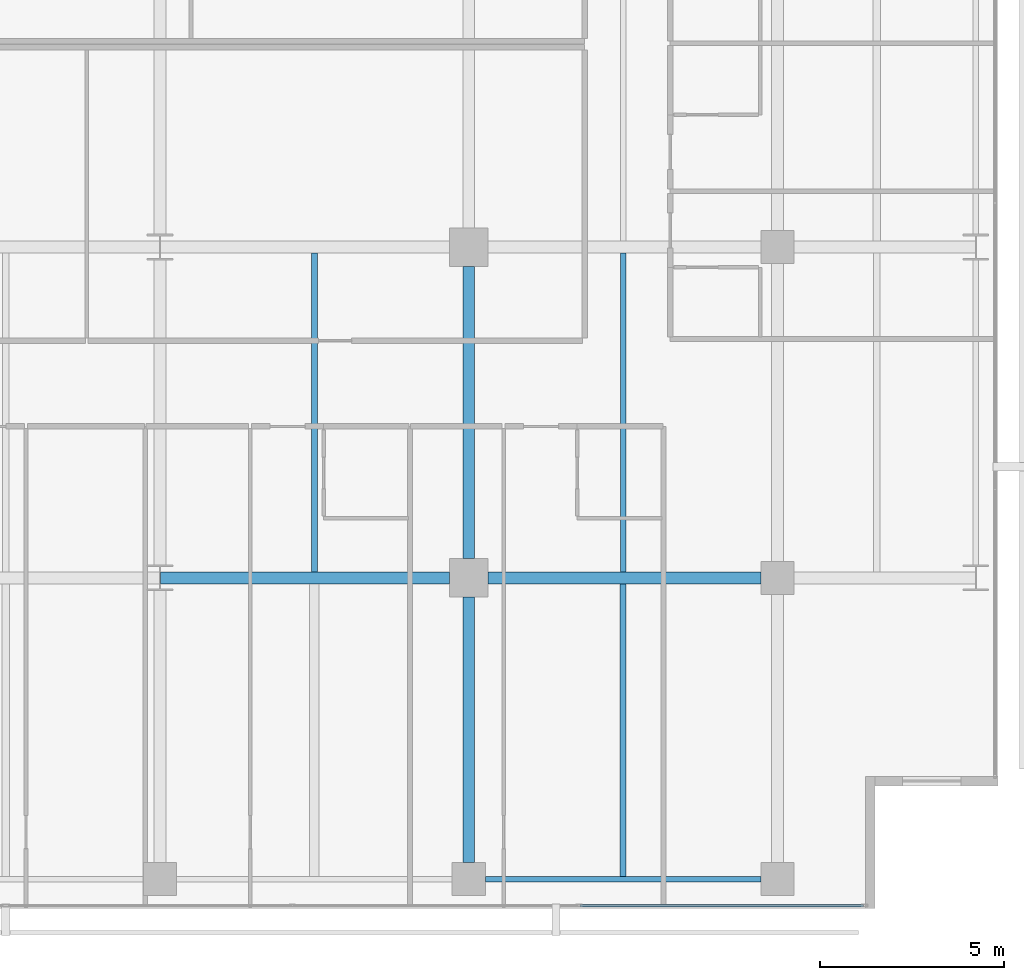
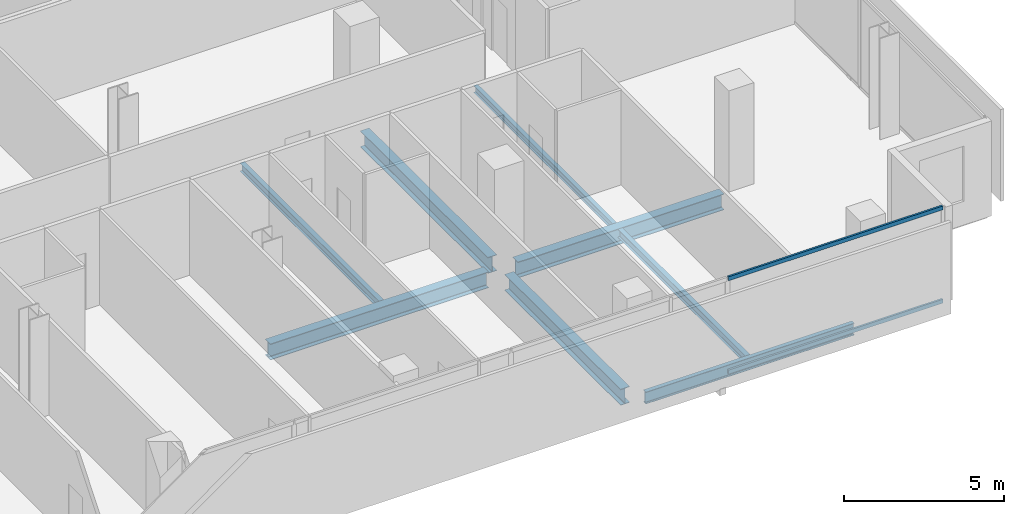
# One storey, part 15 of 40: 8 beams, 2 members, 1 element without a shape of its own.
"""IFC4 building model written with IfcOpenShell, lengths in metres."""

from ifc_helpers import new_model, si_unit, direction, frame, origin, origin_2d, place, context, subcontext, project, spatial, hollow_rectangle, i_section, extrude, material, layer, layer_set, material_profile, profile_set, type_object, element, aggregate, save


model = new_model("IFC4")

# Units and contexts
model_context = context("Model", 3, precision=1e-05, world=origin(), true_north=direction((0.0, 1.0)))
body_context = subcontext(model_context, "Body", "Model", "MODEL_VIEW")
ifc_project = project(units=[si_unit("LENGTHUNIT", "METRE"), si_unit("AREAUNIT", "SQUARE_METRE"), si_unit("VOLUMEUNIT", "CUBIC_METRE"), si_unit("PLANEANGLEUNIT", "RADIAN"), si_unit("MASSUNIT", "GRAM", prefix="KILO")], contexts=[model_context])

# Site, building, storey
site_placement = place(None, origin())
site = spatial("IfcSite", under=ifc_project, at=site_placement, CompositionType="ELEMENT")
building_placement = place(site_placement, origin())
building = spatial("IfcBuilding", under=site, at=building_placement, Name="Maruvema Waterfront Hotel and Observation Tower", CompositionType="ELEMENT")
storey_placement = place(building_placement, frame((0.0, 0.0, 80.85009765625)))
storey = spatial("IfcBuildingStorey", under=building, at=storey_placement, Name="L19", CompositionType="ELEMENT", Elevation=80.85009765625)

# Curtain wall, members
ifc_material_1 = material(Name="Anodised bronze aluminium and solar-control low-E IGU", Category="aluminium")
ifc_layer = layer(ifc_material_1, 0.159912109375, Name="Zone 1 Bronze Inner Thermal Curtain Wall System CW-02")
ifc_layer_set = layer_set([ifc_layer], Name="Anodised bronze aluminium and solar-control low-E IGU")
curtain_wall_type = type_object("IfcCurtainWallType", Name="Zone 1 Bronze Inner Thermal Curtain Wall System CW-02", PredefinedType="USERDEFINED", material=ifc_layer_set)
curtain_wall_placement = place(storey_placement, origin())
curtain_wall = element("IfcCurtainWall", 1, at=curtain_wall_placement, inside=storey, type_object=curtain_wall_type, Name="L19 Curtain Wall CW-L19-S", ObjectType="UNITISED CURTAIN WALL", PredefinedType="USERDEFINED")
ifc_material_2 = material(Name="Anodised architectural bronze aluminium", Category="aluminium")
ifc_material_profile_1 = material_profile(ifc_material_2, hollow_rectangle(XDim=0.070068359375, YDim=0.14990234375, WallThickness=0.00390625, at=origin_2d()), Name="ALU-T70x150")
ifc_profile_set_1 = profile_set([ifc_material_profile_1], Name="Anodised architectural bronze aluminium")
member_type = type_object("IfcMemberType", Name="Curtain Wall Horizontal Transom ALU-T70x150", PredefinedType="USERDEFINED", material=ifc_profile_set_1)
member_1_placement = place(storey_placement, frame((53.429931640625, 0.080078125, 0.02978515625), z_axis=(1.0, 0.0, 0.0), x_axis=(0.0, 1.0, 0.0)))
member_1 = element("IfcMember", 2, at=member_1_placement, type_object=member_type, Name="CW-02 transom 6.1", ObjectType="TRANSOM", PredefinedType="USERDEFINED", context=body_context, shape_type="SweptSolid", body=[
    extrude(hollow_rectangle(XDim=0.070068359375, YDim=0.14990234375, WallThickness=0.00390625, at=origin_2d()), origin(), (0.0, 0.0, 1.0), 7.7099609375),
])
member_2_placement = place(storey_placement, frame((53.429931640625, 0.080078125, 3.579833984375), z_axis=(1.0, 0.0, 0.0), x_axis=(0.0, 1.0, 0.0)))
member_2 = element("IfcMember", 3, at=member_2_placement, type_object=member_type, Name="CW-02 transom 6.2", ObjectType="TRANSOM", PredefinedType="USERDEFINED", context=body_context, shape_type="SweptSolid", body=[
    extrude(hollow_rectangle(XDim=0.070068359375, YDim=0.14990234375, WallThickness=0.00390625, at=origin_2d()), origin(), (0.0, 0.0, 1.0), 7.7099609375),
])
aggregate(curtain_wall, [member_1, member_2])

# Beams
ifc_material_3 = material(Name="Steel ASTM A572 Grade 50", Category="steel")
ifc_material_profile_2 = material_profile(ifc_material_3, i_section(OverallWidth=0.153076171875, OverallDepth=0.455078125, WebThickness=0.008056640625, FlangeThickness=0.01318359375, FilletRadius=0.014892578125, at=origin_2d()), Name="W460x60.0")
ifc_profile_set_2 = profile_set([ifc_material_profile_2], Name="Steel ASTM A572 Grade 50")
beam_type_1 = type_object("IfcBeamType", Name="Perimeter Spandrel Beam W460x60.0", PredefinedType="SPANDREL", material=ifc_profile_set_2)
beam_1_placement = place(storey_placement, frame((50.85009765625, 0.800048828125, -0.467529296875), z_axis=(1.0, 0.0, 0.0), x_axis=(0.0, 1.0, 0.0)))
element("IfcBeam", 4, at=beam_1_placement, inside=storey, type_object=beam_type_1, Name="L19 Floor Girder EW-05", PredefinedType="SPANDREL", context=body_context, shape_type="SweptSolid", body=[
    extrude(i_section(OverallWidth=0.153076171875, OverallDepth=0.455078125, WebThickness=0.008056640625, FlangeThickness=0.01318359375, FilletRadius=0.014892578125, at=origin_2d()), origin(), (0.0, 0.0, 1.0), 7.5),
])
ifc_material_4 = material(Name="Steel ASTM A572 Grade 50", Category="steel")
ifc_material_profile_3 = material_profile(ifc_material_4, i_section(OverallWidth=0.323974609375, OverallDepth=0.611083984375, WebThickness=0.0126953125, FlangeThickness=0.01904296875, FilletRadius=0.01806640625, at=origin_2d()), Name="W610x155.0")
ifc_profile_set_3 = profile_set([ifc_material_profile_3], Name="Steel ASTM A572 Grade 50")
beam_type_2 = type_object("IfcBeamType", Name="Primary Floor Girder W610x155.0", PredefinedType="BEAM", material=ifc_profile_set_3)
beam_2_placement = place(storey_placement, frame((42.013916015625, 9.0, -0.545654296875), z_axis=(1.0, 0.0, 0.0), x_axis=(0.0, 1.0, 0.0)))
element("IfcBeam", 5, at=beam_2_placement, inside=storey, type_object=beam_type_2, Name="L19 Floor Girder EW-10", PredefinedType="BEAM", context=body_context, shape_type="SweptSolid", body=[
    extrude(i_section(OverallWidth=0.323974609375, OverallDepth=0.611083984375, WebThickness=0.0126953125, FlangeThickness=0.01904296875, FilletRadius=0.01806640625, at=origin_2d()), origin(), (0.0, 0.0, 1.0), 7.861083984375),
])
beam_3_placement = place(storey_placement, frame((50.925048828125, 9.0, -0.545654296875), z_axis=(1.0, 0.0, 0.0), x_axis=(0.0, 1.0, 0.0)))
element("IfcBeam", 6, at=beam_3_placement, inside=storey, type_object=beam_type_2, Name="L19 Floor Girder EW-11", PredefinedType="BEAM", context=body_context, shape_type="SweptSolid", body=[
    extrude(i_section(OverallWidth=0.323974609375, OverallDepth=0.611083984375, WebThickness=0.0126953125, FlangeThickness=0.01904296875, FilletRadius=0.01806640625, at=origin_2d()), origin(), (0.0, 0.0, 1.0), 7.425048828125),
])
beam_4_placement = place(storey_placement, frame((50.39990234375, 1.25, -0.545654296875), z_axis=(0.0, 1.0, 0.0), x_axis=(-1.0, 0.0, 0.0)))
element("IfcBeam", 7, at=beam_4_placement, inside=storey, type_object=beam_type_2, Name="L19 Floor Girder NS-22", PredefinedType="BEAM", context=body_context, shape_type="SweptSolid", body=[
    extrude(i_section(OverallWidth=0.323974609375, OverallDepth=0.611083984375, WebThickness=0.0126953125, FlangeThickness=0.01904296875, FilletRadius=0.01806640625, at=origin_2d()), origin(), (0.0, 0.0, 1.0), 7.22509765625),
])
beam_5_placement = place(storey_placement, frame((50.39990234375, 9.52490234375, -0.545654296875), z_axis=(0.0, 1.0, 0.0), x_axis=(-1.0, 0.0, 0.0)))
element("IfcBeam", 8, at=beam_5_placement, inside=storey, type_object=beam_type_2, Name="L19 Floor Girder NS-23", PredefinedType="BEAM", context=body_context, shape_type="SweptSolid", body=[
    extrude(i_section(OverallWidth=0.323974609375, OverallDepth=0.611083984375, WebThickness=0.0126953125, FlangeThickness=0.01904296875, FilletRadius=0.01806640625, at=origin_2d()), origin(), (0.0, 0.0, 1.0), 7.9501953125),
])
ifc_material_5 = material(Name="Steel ASTM A572 Grade 50", Category="steel")
ifc_material_profile_4 = material_profile(ifc_material_5, i_section(OverallWidth=0.14794921875, OverallDepth=0.26611328125, WebThickness=0.007568359375, FlangeThickness=0.012939453125, FilletRadius=0.012939453125, at=origin_2d()), Name="W250x44.8")
ifc_profile_set_4 = profile_set([ifc_material_profile_4], Name="Steel ASTM A572 Grade 50")
beam_type_3 = type_object("IfcBeamType", Name="Secondary Floor Joist W250x44.8", PredefinedType="JOIST", material=ifc_profile_set_4)
beam_6_placement = place(storey_placement, frame((54.60009765625, 9.162109375, -0.373046875), z_axis=(0.0, 1.0, 0.0), x_axis=(-1.0, 0.0, 0.0)))
element("IfcBeam", 9, at=beam_6_placement, inside=storey, type_object=beam_type_3, Name="L19 Secondary Floor Joist JS-17", PredefinedType="JOIST", context=body_context, shape_type="SweptSolid", body=[
    extrude(i_section(OverallWidth=0.14794921875, OverallDepth=0.26611328125, WebThickness=0.007568359375, FlangeThickness=0.012939453125, FilletRadius=0.012939453125, at=origin_2d()), origin(), (0.0, 0.0, 1.0), 8.67578125),
])
ifc_material_6 = material(Name="Steel ASTM A572 Grade 50", Category="steel")
ifc_material_profile_5 = material_profile(ifc_material_6, i_section(OverallWidth=0.1650390625, OverallDepth=0.31005859375, WebThickness=0.005859375, FlangeThickness=0.009765625, FilletRadius=0.012939453125, at=origin_2d()), Name="W310x38.7")
ifc_profile_set_5 = profile_set([ifc_material_profile_5], Name="Steel ASTM A572 Grade 50")
beam_type_4 = type_object("IfcBeamType", Name="Secondary Floor Joist W310x38.7", PredefinedType="JOIST", material=ifc_profile_set_5)
beam_7_placement = place(storey_placement, frame((54.60009765625, 0.87646484375, -0.39501953125), z_axis=(0.0, 1.0, 0.0), x_axis=(-1.0, 0.0, 0.0)))
element("IfcBeam", 10, at=beam_7_placement, inside=storey, type_object=beam_type_4, Name="L19 Secondary Floor Joist JS-16", PredefinedType="JOIST", context=body_context, shape_type="SweptSolid", body=[
    extrude(i_section(OverallWidth=0.1650390625, OverallDepth=0.31005859375, WebThickness=0.005859375, FlangeThickness=0.009765625, FilletRadius=0.012939453125, at=origin_2d()), origin(), (0.0, 0.0, 1.0), 7.96142578125),
])
ifc_material_7 = material(Name="Steel ASTM A572 Grade 50", Category="steel")
ifc_material_profile_6 = material_profile(ifc_material_7, i_section(OverallWidth=0.1669921875, OverallDepth=0.31689453125, WebThickness=0.007568359375, FlangeThickness=0.01318359375, FilletRadius=0.012939453125, at=origin_2d()), Name="W310x52.0")
ifc_profile_set_6 = profile_set([ifc_material_profile_6], Name="Steel ASTM A572 Grade 50")
beam_type_5 = type_object("IfcBeamType", Name="Secondary Floor Joist W310x52.0", PredefinedType="JOIST", material=ifc_profile_set_6)
beam_8_placement = place(storey_placement, frame((46.199951171875, 9.162109375, -0.398681640625), z_axis=(0.0, 1.0, 0.0), x_axis=(-1.0, 0.0, 0.0)))
element("IfcBeam", 11, at=beam_8_placement, inside=storey, type_object=beam_type_5, Name="L19 Secondary Floor Joist JS-15", PredefinedType="JOIST", context=body_context, shape_type="SweptSolid", body=[
    extrude(i_section(OverallWidth=0.1669921875, OverallDepth=0.31689453125, WebThickness=0.007568359375, FlangeThickness=0.01318359375, FilletRadius=0.012939453125, at=origin_2d()), origin(), (0.0, 0.0, 1.0), 8.67578125),
])

save(model, "model.ifc")
